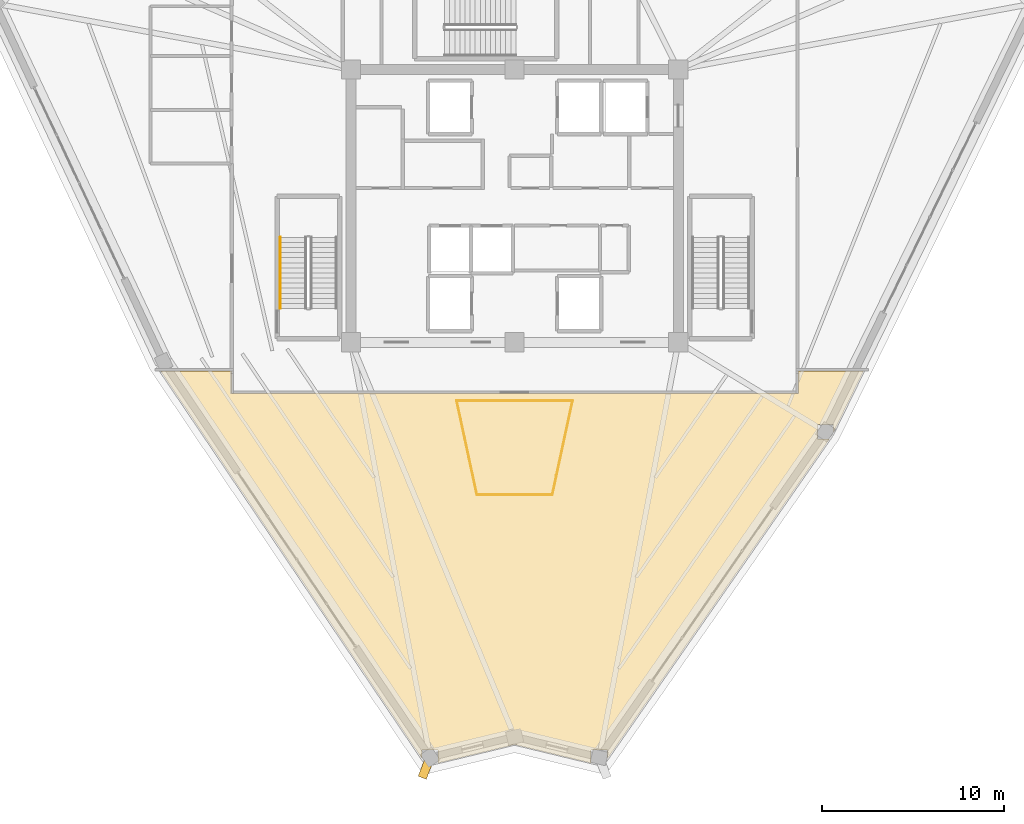
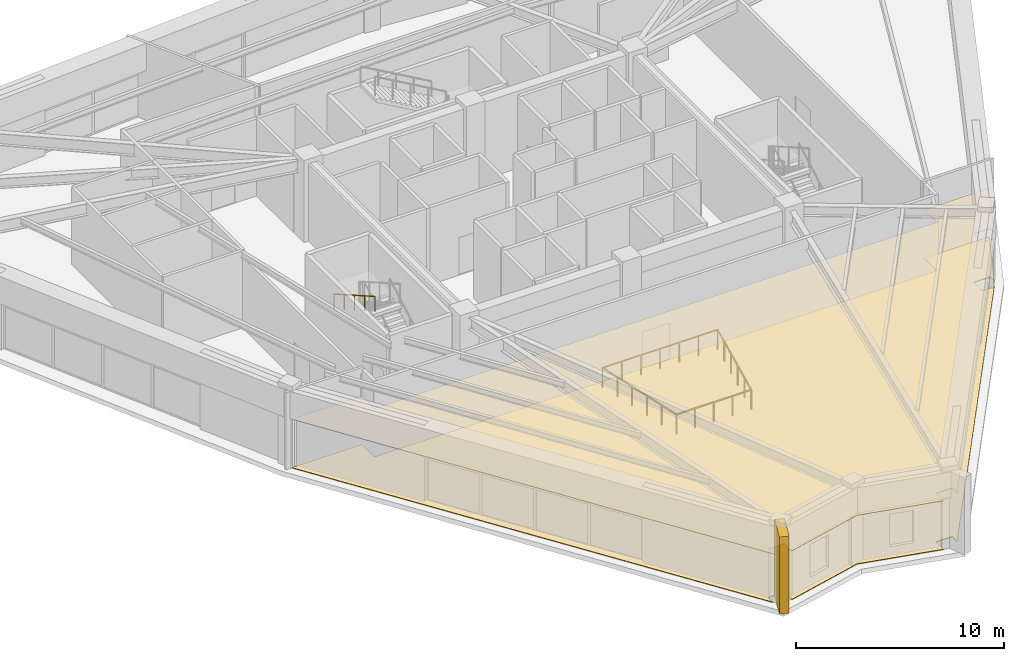
# One storey, part 38 of 40: 5 railings, 3 coverings.
"""IFC4 building model written with IfcOpenShell, lengths in metres."""

from ifc_helpers import new_model, si_unit, direction, frame, origin, origin_2d, place, context, subcontext, project, spatial, polyline, rectangle, outline, extrude, source, transform, mapped, material, layer, layer_set, type_object, element, save


model = new_model("IFC4")

# Units and contexts
model_context = context("Model", 3, precision=1e-05, world=origin(), true_north=direction((0.0, 1.0)))
body_context = subcontext(model_context, "Body", "Model", "MODEL_VIEW")
ifc_project = project(units=[si_unit("LENGTHUNIT", "METRE"), si_unit("AREAUNIT", "SQUARE_METRE"), si_unit("VOLUMEUNIT", "CUBIC_METRE"), si_unit("PLANEANGLEUNIT", "RADIAN"), si_unit("MASSUNIT", "GRAM", prefix="KILO")], contexts=[model_context])

# Site, building, storey
site_placement = place(None, origin())
site = spatial("IfcSite", under=ifc_project, at=site_placement, CompositionType="ELEMENT")
building_placement = place(site_placement, origin())
building = spatial("IfcBuilding", under=site, at=building_placement, Name="Liaohun Quay Tower", CompositionType="ELEMENT")
storey_placement = place(building_placement, frame((0.0, 0.0, 351.0)))
storey = spatial("IfcBuildingStorey", under=building, at=storey_placement, Name="L91", CompositionType="ELEMENT", Elevation=351.0)

# Coverings
ifc_material_1 = material(Name="Mineral-fibre acoustic ceiling tile")
ifc_layer_1 = layer(ifc_material_1, 0.02490234375, Name="Mineral-fibre acoustic ceiling tile")
ifc_layer_set_1 = layer_set([ifc_layer_1], Name="Mineral-fibre acoustic ceiling tile")
covering_type_1 = type_object("IfcCoveringType", Name="COV-CEIL-ACT", PredefinedType="CEILING", material=ifc_layer_set_1)
covering_1_placement = place(storey_placement, frame((0.0, 0.0, 2.85009765625)))
element("IfcCovering", 1, at=covering_1_placement, inside=storey, type_object=covering_type_1, Name="L91 North Sky Refreshment Kitchen 04 Acoustic Ceiling", PredefinedType="CEILING", context=body_context, shape_type="SweptSolid", body=[
    extrude(outline(polyline([(77.319091796875, 41.18701171875), (76.64990234375, 41.18701171875), (76.64990234375, 41.97705078125), (77.5400390625, 41.97705078125), (77.5400390625, 41.56005859375), (79.180908203125, 44.925048828125), (75.580078125, 44.925048828125), (75.580078125, 43.719970703125), (44.419921875, 43.719970703125), (44.419921875, 44.925048828125), (40.529052734375, 44.925048828125), (54.908935546875, 23.60400390625), (54.908935546875, 24.072998046875), (55.799072265625, 24.072998046875), (55.799072265625, 23.364013671875), (60.0, 24.3779296875), (64.2099609375, 23.361083984375), (64.2099609375, 24.071044921875), (65.10009765625, 24.071044921875), (65.10009765625, 23.597900390625), (77.319091796875, 41.18701171875)])), origin(), (0.0, 0.0, 1.0), 0.02490234375),
])
ifc_material_2 = material(Name="Honed Liaodong granite floor paving", Category="masonry")
ifc_layer_2 = layer(ifc_material_2, 0.034912109375, Name="Honed Liaodong granite floor paving", Category="masonry")
ifc_layer_set_2 = layer_set([ifc_layer_2], Name="Honed Liaodong granite floor paving")
covering_type_2 = type_object("IfcCoveringType", Name="COV-FLR-STN", PredefinedType="FLOORING", material=ifc_layer_set_2)
covering_2_placement = place(storey_placement, origin())
element("IfcCovering", 2, at=covering_2_placement, inside=storey, type_object=covering_type_2, Name="L91 North Sky Refreshment Kitchen 04 Floor Finish", PredefinedType="FLOORING", context=body_context, shape_type="SweptSolid", body=[
    extrude(outline(polyline([(77.319091796875, 41.18701171875), (76.64990234375, 41.18701171875), (76.64990234375, 41.97705078125), (77.5400390625, 41.97705078125), (77.5400390625, 41.56005859375), (79.180908203125, 44.925048828125), (75.580078125, 44.925048828125), (75.580078125, 43.719970703125), (44.419921875, 43.719970703125), (44.419921875, 44.925048828125), (40.529052734375, 44.925048828125), (54.908935546875, 23.60400390625), (54.908935546875, 24.072998046875), (55.799072265625, 24.072998046875), (55.799072265625, 23.364013671875), (60.0, 24.3779296875), (64.2099609375, 23.361083984375), (64.2099609375, 24.071044921875), (65.10009765625, 24.071044921875), (65.10009765625, 23.597900390625), (77.319091796875, 41.18701171875)])), origin(), (0.0, 0.0, 1.0), 0.034912109375),
])

# Railings
ifc_material_3 = material(Name="Laminated safety glass and stainless steel", Category="steel")
railing_type_1 = type_object("IfcRailingType", Name="RLG-GUARD-ATR", PredefinedType="BALUSTRADE", material=ifc_material_3)
railing_1_placement = place(storey_placement, frame((57.927978515625, 38.1220703125, 0.0)))
element("IfcRailing", 3, at=railing_1_placement, inside=storey, type_object=railing_type_1, Name="L91 Atrium Edge Balustrade 1", PredefinedType="BALUSTRADE", context=body_context, shape_type="SweptSolid", body=[
    extrude(rectangle(XDim=0.048095703125, YDim=0.048095703125, at=origin_2d()), frame((0.0, 0.0, 1.17578125), z_axis=(-0.21111178865, 0.97746192391, 0.0), x_axis=(-0.97746192391, -0.21111178865, 0.0)), (0.0, 0.0, 1.0), 5.27685546875),
    extrude(rectangle(XDim=0.0419921875, YDim=0.0419921875, at=origin_2d()), origin(), (0.0, 0.0, 1.0), 1.15185546875),
    extrude(rectangle(XDim=0.0419921875, YDim=0.0419921875, at=origin_2d()), frame((-0.222900390625, 1.031494140625, 0.0)), (0.0, 0.0, 1.0), 1.15185546875),
    extrude(rectangle(XDim=0.0419921875, YDim=0.0419921875, at=origin_2d()), frame((-0.445556640625, 2.063232421875, 0.0)), (0.0, 0.0, 1.0), 1.15185546875),
    extrude(rectangle(XDim=0.0419921875, YDim=0.0419921875, at=origin_2d()), frame((-0.66845703125, 3.0947265625, 0.0)), (0.0, 0.0, 1.0), 1.15185546875),
    extrude(rectangle(XDim=0.0419921875, YDim=0.0419921875, at=origin_2d()), frame((-0.89111328125, 4.12646484375, 0.0)), (0.0, 0.0, 1.0), 1.15185546875),
    extrude(rectangle(XDim=0.0419921875, YDim=0.0419921875, at=origin_2d()), frame((-1.114013671875, 5.157958984375, 0.0)), (0.0, 0.0, 1.0), 1.15185546875),
])
railing_2_placement = place(storey_placement, frame((56.81396484375, 43.280029296875, 0.0)))
element("IfcRailing", 4, at=railing_2_placement, inside=storey, type_object=railing_type_1, Name="L91 Atrium Edge Balustrade 2", PredefinedType="BALUSTRADE", context=body_context, shape_type="SweptSolid", body=[
    extrude(rectangle(XDim=0.048095703125, YDim=0.048095703125, at=origin_2d()), frame((0.0, 0.0, 1.17578125), z_axis=(1.0, 0.0, 0.0), x_axis=(0.0, 1.0, 0.0)), (0.0, 0.0, 1.0), 6.3720703125),
    extrude(rectangle(XDim=0.0419921875, YDim=0.0419921875, at=origin_2d()), origin(), (0.0, 0.0, 1.0), 1.15185546875),
    extrude(rectangle(XDim=0.0419921875, YDim=0.0419921875, at=origin_2d()), frame((1.06201171875, 0.0, 0.0)), (0.0, 0.0, 1.0), 1.15185546875),
    extrude(rectangle(XDim=0.0419921875, YDim=0.0419921875, at=origin_2d()), frame((2.1240234375, 0.0, 0.0)), (0.0, 0.0, 1.0), 1.15185546875),
    extrude(rectangle(XDim=0.0419921875, YDim=0.0419921875, at=origin_2d()), frame((3.18603515625, 0.0, 0.0)), (0.0, 0.0, 1.0), 1.15185546875),
    extrude(rectangle(XDim=0.0419921875, YDim=0.0419921875, at=origin_2d()), frame((4.248046875, 0.0, 0.0)), (0.0, 0.0, 1.0), 1.15185546875),
    extrude(rectangle(XDim=0.0419921875, YDim=0.0419921875, at=origin_2d()), frame((5.31005859375, 0.0, 0.0)), (0.0, 0.0, 1.0), 1.15185546875),
    extrude(rectangle(XDim=0.0419921875, YDim=0.0419921875, at=origin_2d()), frame((6.3720703125, 0.0, 0.0)), (0.0, 0.0, 1.0), 1.15185546875),
])
railing_3_placement = place(storey_placement, frame((63.18603515625, 43.280029296875, 0.0)))
element("IfcRailing", 5, at=railing_3_placement, inside=storey, type_object=railing_type_1, Name="L91 Atrium Edge Balustrade 3", PredefinedType="BALUSTRADE", context=body_context, shape_type="SweptSolid", body=[
    extrude(rectangle(XDim=0.048095703125, YDim=0.048095703125, at=origin_2d()), frame((0.0, 0.0, 1.17578125), z_axis=(-0.21111178865, -0.97746192391, 0.0), x_axis=(0.97746192391, -0.21111178865, 0.0)), (0.0, 0.0, 1.0), 5.27685546875),
    extrude(rectangle(XDim=0.0419921875, YDim=0.0419921875, at=origin_2d()), origin(), (0.0, 0.0, 1.0), 1.15185546875),
    extrude(rectangle(XDim=0.0419921875, YDim=0.0419921875, at=origin_2d()), frame((-0.222900390625, -1.031494140625, 0.0)), (0.0, 0.0, 1.0), 1.15185546875),
    extrude(rectangle(XDim=0.0419921875, YDim=0.0419921875, at=origin_2d()), frame((-0.445556640625, -2.063232421875, 0.0)), (0.0, 0.0, 1.0), 1.15185546875),
    extrude(rectangle(XDim=0.0419921875, YDim=0.0419921875, at=origin_2d()), frame((-0.66845703125, -3.0947265625, 0.0)), (0.0, 0.0, 1.0), 1.15185546875),
    extrude(rectangle(XDim=0.0419921875, YDim=0.0419921875, at=origin_2d()), frame((-0.89111328125, -4.12646484375, 0.0)), (0.0, 0.0, 1.0), 1.15185546875),
    extrude(rectangle(XDim=0.0419921875, YDim=0.0419921875, at=origin_2d()), frame((-1.114013671875, -5.157958984375, 0.0)), (0.0, 0.0, 1.0), 1.15185546875),
])
railing_4_placement = place(storey_placement, frame((62.072021484375, 38.1220703125, 0.0)))
element("IfcRailing", 6, at=railing_4_placement, inside=storey, type_object=railing_type_1, Name="L91 Atrium Edge Balustrade 4", PredefinedType="BALUSTRADE", context=body_context, shape_type="SweptSolid", body=[
    extrude(rectangle(XDim=0.048095703125, YDim=0.048095703125, at=origin_2d()), frame((0.0, 0.0, 1.17578125), z_axis=(-1.0, 0.0, 0.0), x_axis=(0.0, -1.0, 0.0)), (0.0, 0.0, 1.0), 4.14404296875),
    extrude(rectangle(XDim=0.0419921875, YDim=0.0419921875, at=origin_2d()), origin(), (0.0, 0.0, 1.0), 1.15185546875),
    extrude(rectangle(XDim=0.0419921875, YDim=0.0419921875, at=origin_2d()), frame((-1.0361328125, 0.0, 0.0)), (0.0, 0.0, 1.0), 1.15185546875),
    extrude(rectangle(XDim=0.0419921875, YDim=0.0419921875, at=origin_2d()), frame((-2.072021484375, 0.0, 0.0)), (0.0, 0.0, 1.0), 1.15185546875),
    extrude(rectangle(XDim=0.0419921875, YDim=0.0419921875, at=origin_2d()), frame((-3.10791015625, 0.0, 0.0)), (0.0, 0.0, 1.0), 1.15185546875),
    extrude(rectangle(XDim=0.0419921875, YDim=0.0419921875, at=origin_2d()), frame((-4.14404296875, 0.0, 0.0)), (0.0, 0.0, 1.0), 1.15185546875),
])
ifc_material_4 = material(Name="Brushed stainless steel", Category="steel")
railing_type_2 = type_object("IfcRailingType", Name="RLG-HND-STR", PredefinedType="HANDRAIL", material=ifc_material_4)
railing_5_placement = place(storey_placement, frame((47.1201171875, 52.27001953125, 2.56005859375)))
element("IfcRailing", 7, at=railing_5_placement, inside=storey, type_object=railing_type_2, Name="L91 ST-1 stair handrail 2", PredefinedType="HANDRAIL", context=body_context, shape_type="SweptSolid", body=[
    extrude(rectangle(XDim=0.048095703125, YDim=0.048095703125, at=origin_2d()), frame((0.0, 0.0, 0.8759765625), z_axis=(0.0, -0.868239814368, 0.496144761885), x_axis=(1.0, 0.0, 0.0)), (0.0, 0.0, 1.0), 4.514892578125),
    extrude(rectangle(XDim=0.0419921875, YDim=0.0419921875, at=origin_2d()), origin(), (0.0, 0.0, 1.0), 0.851806640625),
    extrude(rectangle(XDim=0.0419921875, YDim=0.0419921875, at=origin_2d()), frame((0.0, -0.97998046875, 0.56005859375)), (0.0, 0.0, 1.0), 0.851806640625),
    extrude(rectangle(XDim=0.0419921875, YDim=0.0419921875, at=origin_2d()), frame((0.0, -1.9599609375, 1.1201171875)), (0.0, 0.0, 1.0), 0.851806640625),
    extrude(rectangle(XDim=0.0419921875, YDim=0.0419921875, at=origin_2d()), frame((0.0, -2.93994140625, 1.679931640625)), (0.0, 0.0, 1.0), 0.851806640625),
    extrude(rectangle(XDim=0.0419921875, YDim=0.0419921875, at=origin_2d()), frame((0.0, -3.919921875, 2.239990234375)), (0.0, 0.0, 1.0), 0.851806640625),
])

# Covering
ifc_material_5 = material(Name="Bush-hammered Liaodong grey granite stone cladding", Category="masonry")
ifc_layer_3 = layer(ifc_material_5, 0.0400390625, Name="Bush-hammered Liaodong grey granite stone cladding", Category="masonry")
ifc_layer_set_3 = layer_set([ifc_layer_3], Name="Bush-hammered Liaodong grey granite stone cladding")
covering_type_3 = type_object("IfcCoveringType", Name="COV-EXT-CLD", PredefinedType="CLADDING", material=ifc_layer_set_3)
shared_shape = source(origin(), body_context, "Body", "SweptSolid", [
    extrude(rectangle(XDim=1.485107421875, YDim=0.47998046875, at=origin_2d()), origin(), (0.0, 0.0, 1.0), 4.52001953125),
])
covering_3_placement = place(storey_placement, frame((55.18505859375, 23.243896484375, 0.0), z_axis=(0.0, 0.0, 1.0), x_axis=(0.362210294983, 0.932096401779, 0.0)))
element("IfcCovering", 8, at=covering_3_placement, inside=storey, type_object=covering_type_3, Name="L91 Apex Pier Granite Cladding SW", PredefinedType="CLADDING", context=body_context, shape_type="MappedRepresentation", body=[
    mapped(shared_shape, transform((0.0, 0.0, 0.0), x_axis=(1.0, 0.0, 0.0), y_axis=(0.0, 1.0, 0.0), z_axis=(0.0, 0.0, 1.0), scale=1.0)),
])

save(model, "model.ifc")
